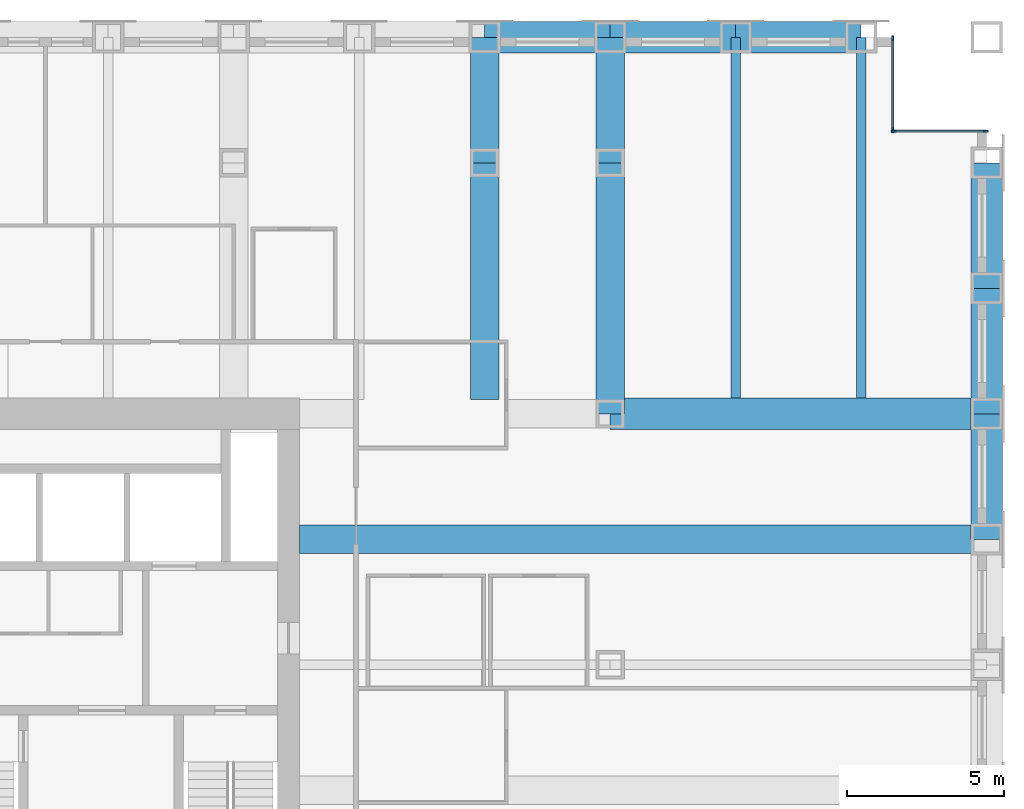
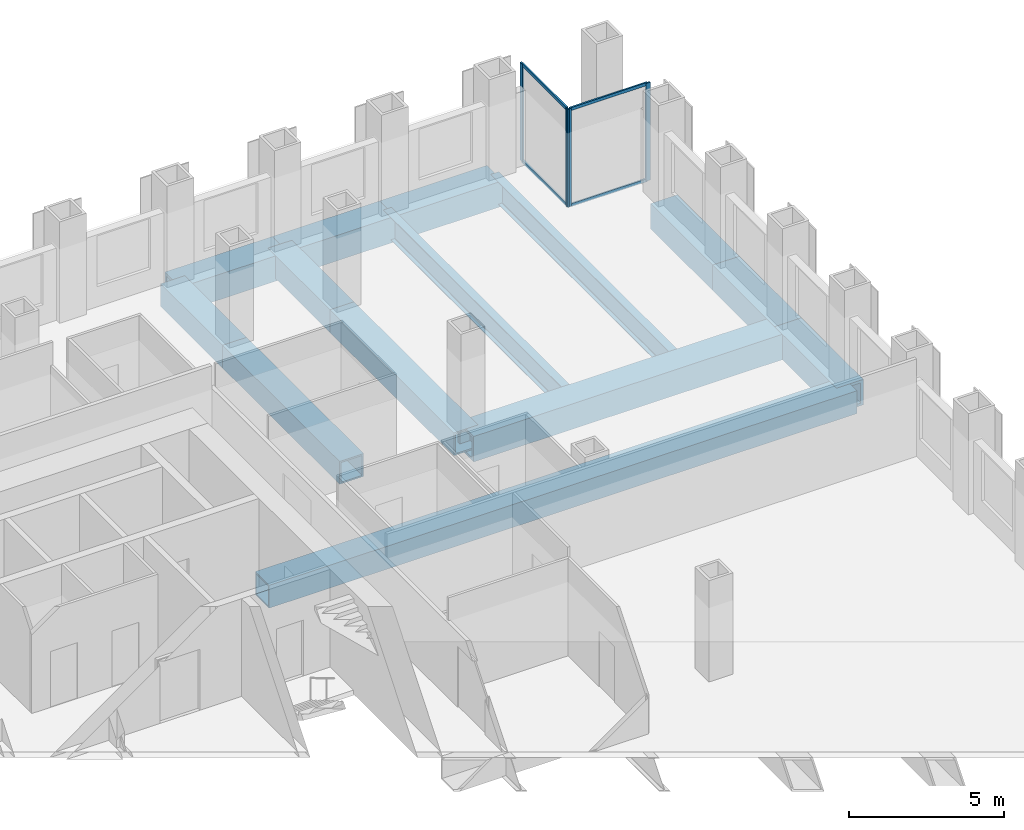
# One storey, part 9 of 16: 14 beams, 8 members, 2 elements without a shape of their own.
"""IFC4 building model written with IfcOpenShell, lengths in metres."""

from ifc_helpers import new_model, si_unit, direction, frame, origin, origin_2d, place, context, subcontext, project, spatial, rectangle, hollow_rectangle, i_section, extrude, material, material_profile, profile_set, type_object, element, aggregate, save


model = new_model("IFC4")

# Units and contexts
model_context = context("Model", 3, precision=1e-05, world=origin(), true_north=direction((0.0, 1.0)))
body_context = subcontext(model_context, "Body", "Model", "MODEL_VIEW")
ifc_project = project(units=[si_unit("LENGTHUNIT", "METRE"), si_unit("AREAUNIT", "SQUARE_METRE"), si_unit("VOLUMEUNIT", "CUBIC_METRE"), si_unit("PLANEANGLEUNIT", "RADIAN"), si_unit("MASSUNIT", "GRAM", prefix="KILO")], contexts=[model_context])

# Site, building, storey
site_placement = place(None, origin())
site = spatial("IfcSite", under=ifc_project, at=site_placement, CompositionType="ELEMENT")
building_placement = place(site_placement, origin())
building = spatial("IfcBuilding", under=site, at=building_placement, Name="Rimbunsela Tower", CompositionType="ELEMENT")
storey_placement = place(building_placement, frame((0.0, 0.0, 97.39990234375)))
storey = spatial("IfcBuildingStorey", under=building, at=storey_placement, Name="L23", CompositionType="ELEMENT", Elevation=97.39990234375)

# Beams
ifc_material_1 = material(Name="Steel BJ 55 (fy 410 MPa)", Category="steel")
ifc_material_profile_1 = material_profile(ifc_material_1, hollow_rectangle(XDim=1.0, YDim=1.0, WallThickness=0.10009765625, at=origin_2d()), Name="BOX 1000x1000x100")
ifc_profile_set_1 = profile_set([ifc_material_profile_1], Name="Steel BJ 55 (fy 410 MPa)")
beam_type_1 = type_object("IfcBeamType", Name="Beam BOX 1000x1000x100", PredefinedType="BEAM", material=ifc_profile_set_1)
beam_1_placement = place(storey_placement, frame((42.0, 48.0, -0.64990234375), z_axis=(1.0, 0.0, 0.0), x_axis=(0.0, 1.0, 0.0)))
element("IfcBeam", 1, at=beam_1_placement, inside=storey, type_object=beam_type_1, Name="Beam B3 L23", PredefinedType="BEAM", context=body_context, shape_type="SweptSolid", body=[
    extrude(hollow_rectangle(XDim=1.0, YDim=1.0, WallThickness=0.10009765625, at=origin_2d()), origin(), (0.0, 0.0, 1.0), 4.0),
])
beam_2_placement = place(storey_placement, frame((46.0, 36.0, -0.64990234375), z_axis=(1.0, 0.0, 0.0), x_axis=(0.0, 1.0, 0.0)))
element("IfcBeam", 2, at=beam_2_placement, inside=storey, type_object=beam_type_1, Name="Beam B3 L23", PredefinedType="BEAM", context=body_context, shape_type="SweptSolid", body=[
    extrude(hollow_rectangle(XDim=1.0, YDim=1.0, WallThickness=0.10009765625, at=origin_2d()), origin(), (0.0, 0.0, 1.0), 12.0),
])
for number, where, z_axis, x_axis, name in (
    (3, (46.0, 48.0, -0.64990234375), (1.0, 0.0, 0.0), (0.0, 1.0, 0.0), "Beam B3 L23"),
    (4, (50.0, 48.0, -0.64990234375), (1.0, 0.0, 0.0), (0.0, 1.0, 0.0), "Beam B3 L23"),
    (5, (58.0, 32.0, -0.64990234375), (0.0, 1.0, 0.0), (-1.0, 0.0, 0.0), "Beam B3 L23"),
    (6, (58.0, 36.0, -0.64990234375), (0.0, 1.0, 0.0), (-1.0, 0.0, 0.0), "Beam B3 L23"),
    (7, (58.0, 40.0, -0.64990234375), (0.0, 1.0, 0.0), (-1.0, 0.0, 0.0), "Beam B3 L23"),
):
    element("IfcBeam", number, at=place(storey_placement, frame(where, z_axis=z_axis, x_axis=x_axis)), inside=storey, type_object=beam_type_1, Name=name, PredefinedType="BEAM", context=body_context, shape_type="SweptSolid", body=[
        extrude(hollow_rectangle(XDim=1.0, YDim=1.0, WallThickness=0.10009765625, at=origin_2d()), origin(), (0.0, 0.0, 1.0), 4.0),
    ])
ifc_material_2 = material(Name="Steel BJ 55 (fy 410 MPa)", Category="steel")
ifc_material_profile_2 = material_profile(ifc_material_2, hollow_rectangle(XDim=0.89990234375, YDim=0.89990234375, WallThickness=0.06005859375, at=origin_2d()), Name="BOX 900x900x60")
ifc_profile_set_2 = profile_set([ifc_material_profile_2], Name="Steel BJ 55 (fy 410 MPa)")
beam_type_2 = type_object("IfcBeamType", Name="Beam BOX 900x900x60", PredefinedType="BEAM", material=ifc_profile_set_2)
beam_3_placement = place(storey_placement, frame((36.10009765625, 32.0, -0.599853515625), z_axis=(1.0, 0.0, 0.0), x_axis=(0.0, 1.0, 0.0)))
element("IfcBeam", 8, at=beam_3_placement, inside=storey, type_object=beam_type_2, Name="Beam B1 L23", PredefinedType="BEAM", context=body_context, shape_type="SweptSolid", body=[
    extrude(hollow_rectangle(XDim=0.89990234375, YDim=0.89990234375, WallThickness=0.06005859375, at=origin_2d()), origin(), (0.0, 0.0, 1.0), 21.89990234375),
])
beam_4_placement = place(storey_placement, frame((42.0, 36.449951171875, -0.599853515625), z_axis=(0.0, 1.0, 0.0), x_axis=(-1.0, 0.0, 0.0)))
element("IfcBeam", 9, at=beam_4_placement, inside=storey, type_object=beam_type_2, Name="Beam B1 L23", PredefinedType="BEAM", context=body_context, shape_type="SweptSolid", body=[
    extrude(hollow_rectangle(XDim=0.89990234375, YDim=0.89990234375, WallThickness=0.06005859375, at=origin_2d()), origin(), (0.0, 0.0, 1.0), 7.550048828125),
])
beam_5_placement = place(storey_placement, frame((42.0, 44.0, -0.599853515625), z_axis=(0.0, 1.0, 0.0), x_axis=(-1.0, 0.0, 0.0)))
element("IfcBeam", 10, at=beam_5_placement, inside=storey, type_object=beam_type_2, Name="Beam B1 L23", PredefinedType="BEAM", context=body_context, shape_type="SweptSolid", body=[
    extrude(hollow_rectangle(XDim=0.89990234375, YDim=0.89990234375, WallThickness=0.06005859375, at=origin_2d()), origin(), (0.0, 0.0, 1.0), 4.0),
])
beam_6_placement = place(storey_placement, frame((46.0, 36.0, -0.599853515625), z_axis=(0.0, 1.0, 0.0), x_axis=(-1.0, 0.0, 0.0)))
element("IfcBeam", 11, at=beam_6_placement, inside=storey, type_object=beam_type_2, Name="Beam B1 L23", PredefinedType="BEAM", context=body_context, shape_type="SweptSolid", body=[
    extrude(hollow_rectangle(XDim=0.89990234375, YDim=0.89990234375, WallThickness=0.06005859375, at=origin_2d()), origin(), (0.0, 0.0, 1.0), 8.0),
])
beam_7_placement = place(storey_placement, frame((46.0, 44.0, -0.599853515625), z_axis=(0.0, 1.0, 0.0), x_axis=(-1.0, 0.0, 0.0)))
element("IfcBeam", 12, at=beam_7_placement, inside=storey, type_object=beam_type_2, Name="Beam B1 L23", PredefinedType="BEAM", context=body_context, shape_type="SweptSolid", body=[
    extrude(hollow_rectangle(XDim=0.89990234375, YDim=0.89990234375, WallThickness=0.06005859375, at=origin_2d()), origin(), (0.0, 0.0, 1.0), 4.0),
])
ifc_material_3 = material(Name="Steel BJ 55 (fy 410 MPa)", Category="steel")
ifc_material_profile_3 = material_profile(ifc_material_3, i_section(OverallWidth=0.300048828125, OverallDepth=0.89990234375, WebThickness=0.01611328125, FlangeThickness=0.028076171875, FilletRadius=0.028076171875, at=origin_2d()), Name="H 900x300x16x28")
ifc_profile_set_3 = profile_set([ifc_material_profile_3], Name="Steel BJ 55 (fy 410 MPa)")
beam_type_3 = type_object("IfcBeamType", Name="Beam H 900x300x16x28", PredefinedType="BEAM", material=ifc_profile_set_3)
for number, where, z_axis, x_axis, name in (
    (13, (50.0, 36.5, -0.599853515625), (0.0, 1.0, 0.0), (-1.0, 0.0, 0.0), "Beam B2 L23"),
    (14, (54.0, 36.5, -0.599853515625), (0.0, 1.0, 0.0), (-1.0, 0.0, 0.0), "Beam B2 L23"),
):
    element("IfcBeam", number, at=place(storey_placement, frame(where, z_axis=z_axis, x_axis=x_axis)), inside=storey, type_object=beam_type_3, Name=name, PredefinedType="BEAM", context=body_context, shape_type="SweptSolid", body=[
        extrude(i_section(OverallWidth=0.300048828125, OverallDepth=0.89990234375, WebThickness=0.01611328125, FlangeThickness=0.028076171875, FilletRadius=0.028076171875, at=origin_2d()), origin(), (0.0, 0.0, 1.0), 11.5),
    ])

# Curtain wall, members
ifc_material_4 = material(Name="Aluminium curtain wall", Category="aluminium")
curtain_wall_type = type_object("IfcCurtainWallType", Name="Corner glazing", PredefinedType="USERDEFINED", material=ifc_material_4)
curtain_wall_1_placement = place(storey_placement, origin())
curtain_wall_1 = element("IfcCurtainWall", 15, at=curtain_wall_1_placement, inside=storey, type_object=curtain_wall_type, Name="Corner glazing L23", ObjectType="CORNER GLAZING", PredefinedType="USERDEFINED")
ifc_material_5 = material(Name="Aluminium mullion", Category="aluminium")
ifc_material_profile_4 = material_profile(ifc_material_5, rectangle(XDim=0.06005859375, YDim=0.159912109375, at=origin_2d()), Name="Mullion 60x160")
ifc_profile_set_4 = profile_set([ifc_material_profile_4], Name="Aluminium mullion")
member_type_1 = type_object("IfcMemberType", Name="Curtain wall mullion 60x160", PredefinedType="MULLION", material=ifc_profile_set_4)
member_1_placement = place(storey_placement, frame((57.969970703125, 45.0, 0.0), z_axis=(0.0, 0.0, 1.0), x_axis=(0.0, -1.0, 0.0)))
member_1 = element("IfcMember", 16, at=member_1_placement, type_object=member_type_1, Name="CW5 mullion 1", PredefinedType="MULLION", context=body_context, shape_type="SweptSolid", body=[
    extrude(rectangle(XDim=0.06005859375, YDim=0.159912109375, at=origin_2d()), origin(), (0.0, 0.0, 1.0), 3.85009765625),
])
member_2_placement = place(storey_placement, frame((55.030029296875, 45.0, 0.0), z_axis=(0.0, 0.0, 1.0), x_axis=(0.0, -1.0, 0.0)))
member_2 = element("IfcMember", 17, at=member_2_placement, type_object=member_type_1, Name="CW5 mullion 2", PredefinedType="MULLION", context=body_context, shape_type="SweptSolid", body=[
    extrude(rectangle(XDim=0.06005859375, YDim=0.159912109375, at=origin_2d()), origin(), (0.0, 0.0, 1.0), 3.85009765625),
])

curtain_wall_2_placement = place(storey_placement, origin())
curtain_wall_2 = element("IfcCurtainWall", 18, at=curtain_wall_2_placement, inside=storey, type_object=curtain_wall_type, Name="Corner glazing L23", ObjectType="CORNER GLAZING", PredefinedType="USERDEFINED")
member_3_placement = place(storey_placement, frame((55.0, 45.030029296875, 0.0), z_axis=(0.0, 0.0, 1.0), x_axis=(-1.0, 0.0, 0.0)))
member_3 = element("IfcMember", 19, at=member_3_placement, type_object=member_type_1, Name="CW5 mullion 1", PredefinedType="MULLION", context=body_context, shape_type="SweptSolid", body=[
    extrude(rectangle(XDim=0.06005859375, YDim=0.159912109375, at=origin_2d()), origin(), (0.0, 0.0, 1.0), 3.85009765625),
])
member_4_placement = place(storey_placement, frame((55.0, 47.969970703125, 0.0), z_axis=(0.0, 0.0, 1.0), x_axis=(-1.0, 0.0, 0.0)))
member_4 = element("IfcMember", 20, at=member_4_placement, type_object=member_type_1, Name="CW5 mullion 2", PredefinedType="MULLION", context=body_context, shape_type="SweptSolid", body=[
    extrude(rectangle(XDim=0.06005859375, YDim=0.159912109375, at=origin_2d()), origin(), (0.0, 0.0, 1.0), 3.85009765625),
])

# Member
ifc_material_6 = material(Name="Aluminium transom", Category="aluminium")
ifc_material_profile_5 = material_profile(ifc_material_6, rectangle(XDim=0.06005859375, YDim=0.1201171875, at=origin_2d()), Name="Transom 60x120")
ifc_profile_set_5 = profile_set([ifc_material_profile_5], Name="Aluminium transom")
member_type_2 = type_object("IfcMemberType", Name="Curtain wall transom 60x120", PredefinedType="USERDEFINED", material=ifc_profile_set_5)
member_5_placement = place(storey_placement, frame((57.93994140625, 45.0, 0.030029296875), z_axis=(-1.0, 0.0, 0.0), x_axis=(0.0, -1.0, 0.0)))
member_5 = element("IfcMember", 21, at=member_5_placement, type_object=member_type_2, Name="CW5 transom 1.1", ObjectType="TRANSOM", PredefinedType="USERDEFINED", context=body_context, shape_type="SweptSolid", body=[
    extrude(rectangle(XDim=0.06005859375, YDim=0.1201171875, at=origin_2d()), origin(), (0.0, 0.0, 1.0), 2.8798828125),
])

member_6_placement = place(storey_placement, frame((57.93994140625, 45.0, 3.820068359375), z_axis=(-1.0, 0.0, 0.0), x_axis=(0.0, -1.0, 0.0)))
member_6 = element("IfcMember", 22, at=member_6_placement, type_object=member_type_2, Name="CW5 transom 1.2", ObjectType="TRANSOM", PredefinedType="USERDEFINED", context=body_context, shape_type="SweptSolid", body=[
    extrude(rectangle(XDim=0.06005859375, YDim=0.1201171875, at=origin_2d()), origin(), (0.0, 0.0, 1.0), 2.8798828125),
])

aggregate(curtain_wall_1, [member_1, member_2, member_5, member_6])

member_7_placement = place(storey_placement, frame((55.0, 45.06005859375, 0.030029296875), z_axis=(0.0, 1.0, 0.0), x_axis=(-1.0, 0.0, 0.0)))
member_7 = element("IfcMember", 23, at=member_7_placement, type_object=member_type_2, Name="CW5 transom 1.1", ObjectType="TRANSOM", PredefinedType="USERDEFINED", context=body_context, shape_type="SweptSolid", body=[
    extrude(rectangle(XDim=0.06005859375, YDim=0.1201171875, at=origin_2d()), origin(), (0.0, 0.0, 1.0), 2.8798828125),
])

member_8_placement = place(storey_placement, frame((55.0, 45.06005859375, 3.820068359375), z_axis=(0.0, 1.0, 0.0), x_axis=(-1.0, 0.0, 0.0)))
member_8 = element("IfcMember", 24, at=member_8_placement, type_object=member_type_2, Name="CW5 transom 1.2", ObjectType="TRANSOM", PredefinedType="USERDEFINED", context=body_context, shape_type="SweptSolid", body=[
    extrude(rectangle(XDim=0.06005859375, YDim=0.1201171875, at=origin_2d()), origin(), (0.0, 0.0, 1.0), 2.8798828125),
])

aggregate(curtain_wall_2, [member_3, member_4, member_7, member_8])

save(model, "model.ifc")
